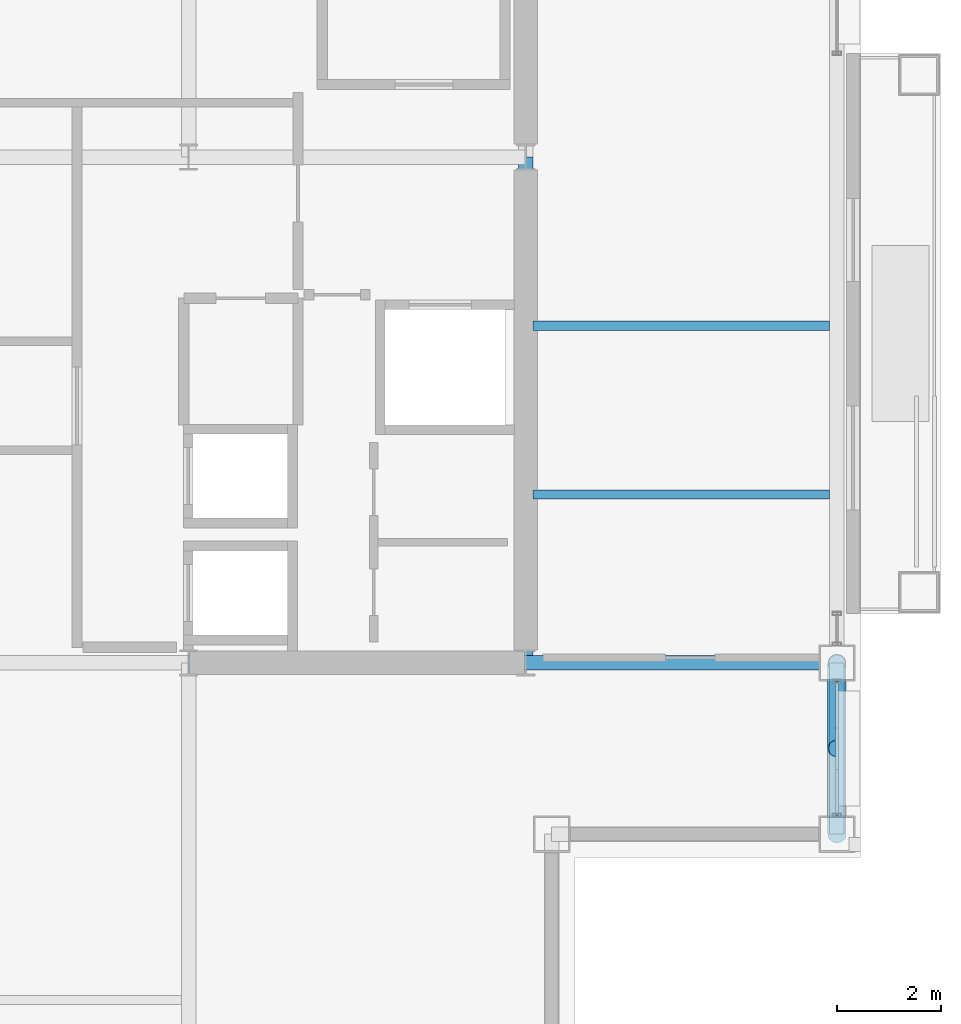
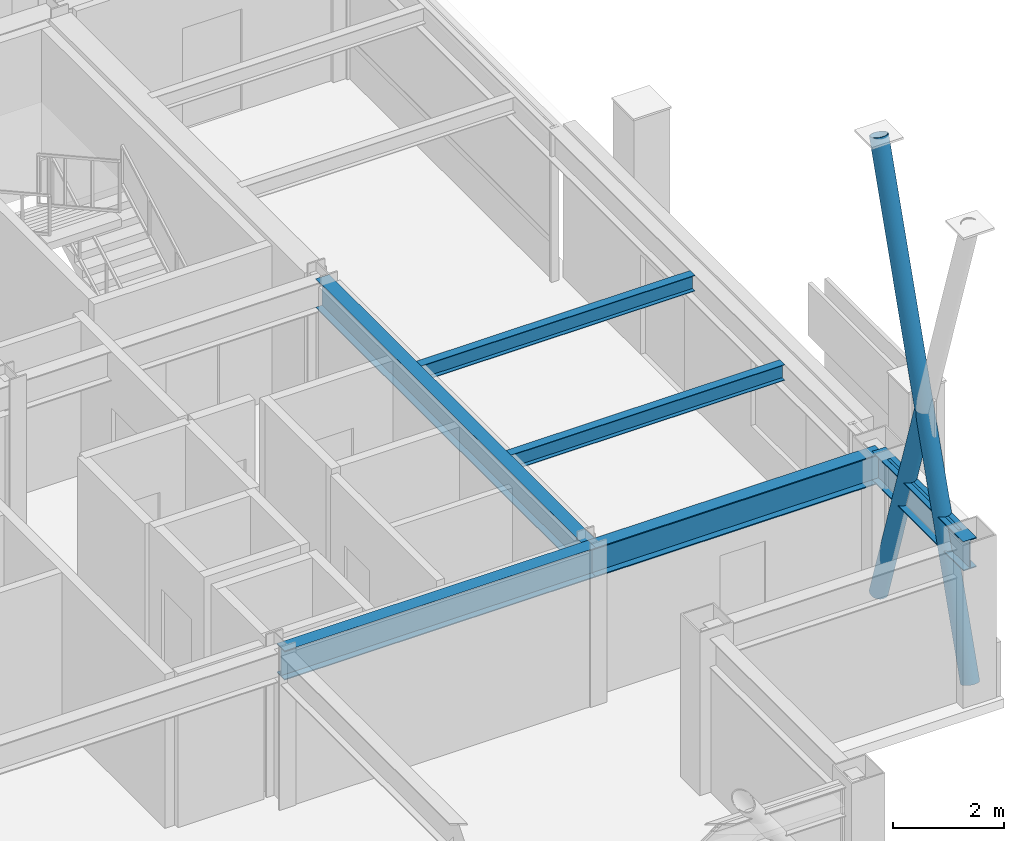
# One storey, part 15 of 33: 6 beams, 3 members, 1 element without a shape of its own.
"""IFC4 building model written with IfcOpenShell, lengths in metres."""

from ifc_helpers import new_model, si_unit, direction, frame, origin, origin_2d, place, context, subcontext, project, spatial, hollow_rectangle, hollow_circle, i_section, extrude, material, layer, layer_set, material_profile, profile_set, type_object, element, aggregate, save


model = new_model("IFC4")

# Units and contexts
model_context = context("Model", 3, precision=1e-05, world=origin(), true_north=direction((0.0, 1.0)))
body_context = subcontext(model_context, "Body", "Model", "MODEL_VIEW")
ifc_project = project(units=[si_unit("LENGTHUNIT", "METRE"), si_unit("AREAUNIT", "SQUARE_METRE"), si_unit("VOLUMEUNIT", "CUBIC_METRE"), si_unit("PLANEANGLEUNIT", "RADIAN"), si_unit("MASSUNIT", "GRAM", prefix="KILO")], contexts=[model_context])

# Site, building, storey
site_placement = place(None, origin())
site = spatial("IfcSite", under=ifc_project, at=site_placement, CompositionType="ELEMENT")
building_placement = place(site_placement, origin())
building = spatial("IfcBuilding", under=site, at=building_placement, Name="Brelmoor Portico Tower", CompositionType="ELEMENT")
storey_placement = place(building_placement, frame((0.0, 0.0, 194.699951171875)))
storey = spatial("IfcBuildingStorey", under=building, at=storey_placement, Name="L51", CompositionType="ELEMENT", Elevation=194.699951171875)

# Beams
ifc_material_1 = material(Name="Steel Q355B", Category="steel")
ifc_material_profile_1 = material_profile(ifc_material_1, i_section(OverallWidth=0.175048828125, OverallDepth=0.35009765625, WebThickness=0.007080078125, FlangeThickness=0.010986328125, at=origin_2d()), Name="HN 350x175x7x11")
ifc_profile_set_1 = profile_set([ifc_material_profile_1], Name="Steel Q355B")
beam_type_1 = type_object("IfcBeamType", Name="BM-JS-350", PredefinedType="JOIST", material=ifc_profile_set_1)
for number, where, z_axis, x_axis, name in (
    (1, (14.68994140625, -6.5, 3.22509765625), (1.0, 0.0, 0.0), (0.0, 1.0, 0.0), "L51 Secondary Wing Joist JS-E09"),
    (2, (14.68994140625, -3.25, 3.22509765625), (1.0, 0.0, 0.0), (0.0, 1.0, 0.0), "L51 Secondary Wing Joist JS-E10"),
):
    element("IfcBeam", number, at=place(storey_placement, frame(where, z_axis=z_axis, x_axis=x_axis)), inside=storey, type_object=beam_type_1, Name=name, PredefinedType="JOIST", context=body_context, shape_type="SweptSolid", body=[
        extrude(i_section(OverallWidth=0.175048828125, OverallDepth=0.35009765625, WebThickness=0.007080078125, FlangeThickness=0.010986328125, at=origin_2d()), origin(), (0.0, 0.0, 1.0), 5.719970703125),
    ])
ifc_material_profile_2 = material_profile(ifc_material_1, i_section(OverallWidth=0.280029296875, OverallDepth=0.64990234375, WebThickness=0.012939453125, FlangeThickness=0.02197265625, at=origin_2d()), Name="HN 650x280x13x22")
ifc_profile_set_2 = profile_set([ifc_material_profile_2], Name="Steel Q355B")
beam_type_2 = type_object("IfcBeamType", Name="BM-PG-650", PredefinedType="BEAM", material=ifc_profile_set_2)
beam_1_placement = place(storey_placement, frame((14.550048828125, -9.75, 3.074951171875), z_axis=(0.0, 1.0, 0.0), x_axis=(-1.0, 0.0, 0.0)))
element("IfcBeam", 3, at=beam_1_placement, inside=storey, type_object=beam_type_2, Name="L51 Primary Floor Girder PG-09", PredefinedType="BEAM", context=body_context, shape_type="SweptSolid", body=[
    extrude(i_section(OverallWidth=0.280029296875, OverallDepth=0.64990234375, WebThickness=0.012939453125, FlangeThickness=0.02197265625, at=origin_2d()), origin(), (0.0, 0.0, 1.0), 9.75),
])
beam_2_placement = place(storey_placement, frame((8.050048828125, -9.75, 3.074951171875), z_axis=(1.0, 0.0, 0.0), x_axis=(0.0, 1.0, 0.0)))
element("IfcBeam", 4, at=beam_2_placement, inside=storey, type_object=beam_type_2, Name="L51 Primary Floor Girder PG-14", PredefinedType="BEAM", context=body_context, shape_type="SweptSolid", body=[
    extrude(i_section(OverallWidth=0.280029296875, OverallDepth=0.64990234375, WebThickness=0.012939453125, FlangeThickness=0.02197265625, at=origin_2d()), origin(), (0.0, 0.0, 1.0), 6.5),
])
beam_3_placement = place(storey_placement, frame((14.550048828125, -9.75, 3.074951171875), z_axis=(1.0, 0.0, 0.0), x_axis=(0.0, 1.0, 0.0)))
element("IfcBeam", 5, at=beam_3_placement, inside=storey, type_object=beam_type_2, Name="L51 Primary Floor Girder PG-15", PredefinedType="BEAM", context=body_context, shape_type="SweptSolid", body=[
    extrude(i_section(OverallWidth=0.280029296875, OverallDepth=0.64990234375, WebThickness=0.012939453125, FlangeThickness=0.02197265625, at=origin_2d()), origin(), (0.0, 0.0, 1.0), 6.0),
])
ifc_material_profile_3 = material_profile(ifc_material_1, i_section(OverallWidth=0.280029296875, OverallDepth=0.64990234375, WebThickness=0.012939453125, FlangeThickness=0.02197265625, at=origin_2d()), Name="HN 650x280x13x22")
ifc_profile_set_3 = profile_set([ifc_material_profile_3], Name="Steel Q355B")
beam_type_3 = type_object("IfcBeamType", Name="BM-SP-650", PredefinedType="SPANDREL", material=ifc_profile_set_3)
beam_4_placement = place(storey_placement, frame((20.550048828125, -13.050048828125, 3.074951171875), z_axis=(0.0, 1.0, 0.0), x_axis=(-1.0, 0.0, 0.0)))
element("IfcBeam", 6, at=beam_4_placement, inside=storey, type_object=beam_type_3, Name="L51 Perimeter Spandrel Beam SP-18", PredefinedType="SPANDREL", context=body_context, shape_type="SweptSolid", body=[
    extrude(i_section(OverallWidth=0.280029296875, OverallDepth=0.64990234375, WebThickness=0.012939453125, FlangeThickness=0.02197265625, at=origin_2d()), origin(), (0.0, 0.0, 1.0), 3.300048828125),
])

# Members
ifc_material_profile_4 = material_profile(ifc_material_1, hollow_circle(Radius=0.177978515625, WallThickness=0.01611328125, at=origin_2d()), Name="CHS 356x16")
ifc_profile_set_4 = profile_set([ifc_material_profile_4], Name="Steel Q355B")
member_type_1 = type_object("IfcMemberType", Name="MB-BELT-DIAG2", PredefinedType="BRACE", material=ifc_profile_set_4)
member_1_placement = place(storey_placement, frame((20.550048828125, -13.050048828125, 0.25), z_axis=(0.0, 0.310576778545, 0.950548296842), x_axis=(-1.0, 0.0, 0.0)))
element("IfcMember", 7, at=member_1_placement, inside=storey, type_object=member_type_1, Name="L51 Continuous Mega-X Brace 125A", PredefinedType="BRACE", context=body_context, shape_type="SweptSolid", body=[
    extrude(hollow_circle(Radius=0.177978515625, WallThickness=0.01611328125, at=origin_2d()), origin(), (0.0, 0.0, 1.0), 10.62548828125),
])
member_2_placement = place(storey_placement, frame((20.550048828125, -9.75, 0.25), z_axis=(0.0, -0.310556017859, 0.95055507982), x_axis=(1.0, 0.0, 0.0)))
element("IfcMember", 8, at=member_2_placement, inside=storey, type_object=member_type_1, Name="L51 Split Mega-X Brace 125B1", PredefinedType="BRACE", context=body_context, shape_type="SweptSolid", body=[
    extrude(hollow_circle(Radius=0.177978515625, WallThickness=0.01611328125, at=origin_2d()), origin(), (0.0, 0.0, 1.0), 5.312744140625),
])

# Curtain wall, member
ifc_material_2 = material(Name="Anodised Aluminium Alloy 6063-T6", Category="aluminium")
ifc_layer = layer(ifc_material_2, 0.179931640625)
ifc_layer_set = layer_set([ifc_layer], Name="Anodised Aluminium Alloy 6063-T6")
curtain_wall_type = type_object("IfcCurtainWallType", Name="CW-TOWER-Z3-XB", PredefinedType="NOTDEFINED", material=ifc_layer_set)
curtain_wall_placement = place(storey_placement, origin())
curtain_wall = element("IfcCurtainWall", 9, at=curtain_wall_placement, inside=storey, type_object=curtain_wall_type, Name="L51 Curtain Wall CW-L51-4L-1", PredefinedType="NOTDEFINED")
ifc_material_profile_5 = material_profile(ifc_material_2, hollow_rectangle(XDim=0.06005859375, YDim=0.125, WallThickness=0.00341796875, at=origin_2d()), Name="ALU TRANSOM 60x125")
ifc_profile_set_5 = profile_set([ifc_material_profile_5], Name="Anodised Aluminium Alloy 6063-T6")
member_type_2 = type_object("IfcMemberType", Name="MB-CW-TRAN-125", PredefinedType="USERDEFINED", material=ifc_profile_set_5)
member_3_placement = place(storey_placement, frame((20.550048828125, -12.68994140625, 3.337646484375), z_axis=(0.0, 1.0, 0.0), x_axis=(-1.0, 0.0, 0.0)))
member_3 = element("IfcMember", 10, at=member_3_placement, type_object=member_type_2, Name="CW-L51-4L-1 Transom 1-00", ObjectType="TRANSOM", PredefinedType="USERDEFINED", context=body_context, shape_type="SweptSolid", body=[
    extrude(hollow_rectangle(XDim=0.06005859375, YDim=0.125, WallThickness=0.00341796875, at=origin_2d()), origin(), (0.0, 0.0, 1.0), 2.579833984375),
])
aggregate(curtain_wall, [member_3])

save(model, "model.ifc")
